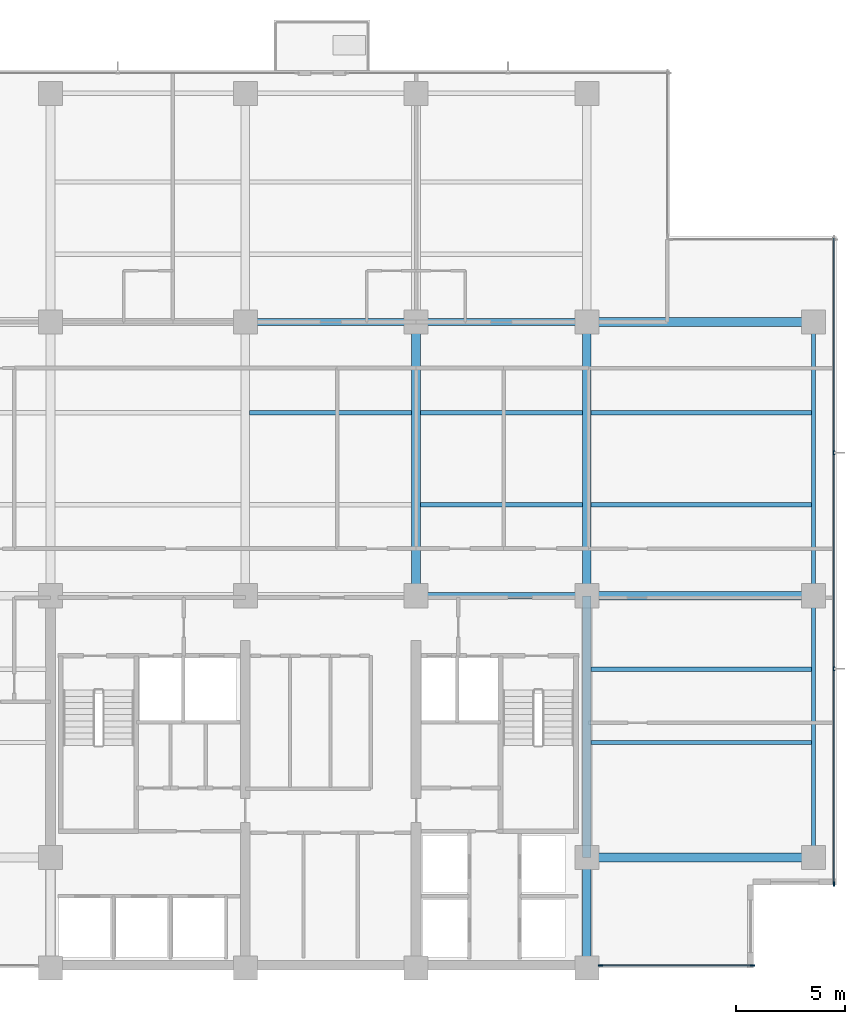
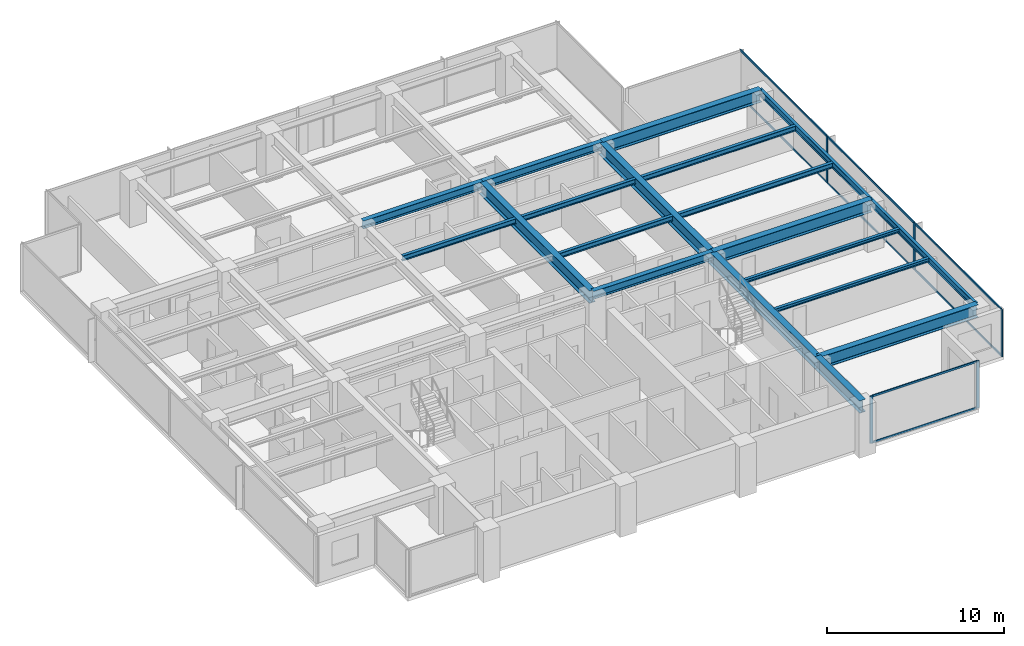
# One storey, part 3 of 15: 19 beams, 13 members, 2 elements without a shape of their own.
"""IFC4 building model written with IfcOpenShell, lengths in metres."""

from ifc_helpers import new_model, si_unit, direction, frame, origin, origin_2d, place, context, subcontext, project, spatial, rectangle, i_section, extrude, material, layer, layer_set, material_profile, profile_set, type_object, element, aggregate, save


model = new_model("IFC4")

# Units and contexts
model_context = context("Model", 3, precision=1e-05, world=origin(), true_north=direction((0.0, 1.0)))
body_context = subcontext(model_context, "Body", "Model", "MODEL_VIEW")
ifc_project = project(units=[si_unit("LENGTHUNIT", "METRE"), si_unit("AREAUNIT", "SQUARE_METRE"), si_unit("VOLUMEUNIT", "CUBIC_METRE"), si_unit("PLANEANGLEUNIT", "RADIAN"), si_unit("MASSUNIT", "GRAM", prefix="KILO")], contexts=[model_context])

# Site, building, storey
site_placement = place(None, origin())
site = spatial("IfcSite", under=ifc_project, at=site_placement, CompositionType="ELEMENT")
building_placement = place(site_placement, origin())
building = spatial("IfcBuilding", under=site, at=building_placement, Name="Qalmaran Belvedere Hotel", CompositionType="ELEMENT")
storey_placement = place(building_placement, frame((0.0, 0.0, 159.60009765625)))
storey = spatial("IfcBuildingStorey", under=building, at=storey_placement, Name="L40", CompositionType="ELEMENT", Elevation=159.60009765625)

# Beams
ifc_material_1 = material(Name="Steel S355JR", Category="steel")
ifc_material_profile_1 = material_profile(ifc_material_1, i_section(OverallWidth=0.201904296875, OverallDepth=0.2470703125, WebThickness=0.00732421875, FlangeThickness=0.010986328125, FilletRadius=0.011962890625, at=origin_2d()), Name="W250X49")
ifc_profile_set_1 = profile_set([ifc_material_profile_1], Name="Steel S355JR")
beam_type_1 = type_object("IfcBeamType", Name="BM-JST-W250X49", PredefinedType="JOIST", material=ifc_profile_set_1)
for number, where, z_axis, x_axis, name in (
    (1, (44.998046875, 13.800048828125, 3.12646484375), (1.0, 0.0, 0.0), (0.0, 1.0, 0.0), "L40 East Wing Joist 039"),
    (2, (44.998046875, 17.14990234375, 3.12646484375), (1.0, 0.0, 0.0), (0.0, 1.0, 0.0), "L40 East Wing Joist 041"),
):
    element("IfcBeam", number, at=place(storey_placement, frame(where, z_axis=z_axis, x_axis=x_axis)), inside=storey, type_object=beam_type_1, Name=name, PredefinedType="JOIST", context=body_context, shape_type="SweptSolid", body=[
        extrude(i_section(OverallWidth=0.201904296875, OverallDepth=0.2470703125, WebThickness=0.00732421875, FlangeThickness=0.010986328125, FilletRadius=0.011962890625, at=origin_2d()), origin(), (0.0, 0.0, 1.0), 10.057861328125),
    ])
ifc_material_profile_2 = material_profile(ifc_material_1, i_section(OverallWidth=0.39990234375, OverallDepth=0.85498046875, WebThickness=0.018310546875, FlangeThickness=0.029296875, FilletRadius=0.02392578125, at=origin_2d()), Name="W840X299")
ifc_profile_set_2 = profile_set([ifc_material_profile_2], Name="Steel S355JR")
beam_type_2 = type_object("IfcBeamType", Name="BM-PG3-W840X299", PredefinedType="USERDEFINED", material=ifc_profile_set_2)
for number, where, z_axis, x_axis, name in (
    (3, (37.0, 20.5, 2.822509765625), (0.0, 1.0, 0.0), (-1.0, 0.0, 0.0), "L40 Mid-Plate N-S Girder 18"),
    (4, (44.800048828125, 20.5, 2.822509765625), (0.0, 1.0, 0.0), (-1.0, 0.0, 0.0), "L40 Mid-Plate N-S Girder 20"),
):
    element("IfcBeam", number, at=place(storey_placement, frame(where, z_axis=z_axis, x_axis=x_axis)), inside=storey, type_object=beam_type_2, Name=name, ObjectType="GIRDER", PredefinedType="USERDEFINED", context=body_context, shape_type="SweptSolid", body=[
        extrude(i_section(OverallWidth=0.39990234375, OverallDepth=0.85498046875, WebThickness=0.018310546875, FlangeThickness=0.029296875, FilletRadius=0.02392578125, at=origin_2d()), origin(), (0.0, 0.0, 1.0), 12.5),
    ])
beam_1_placement = place(storey_placement, frame((44.800048828125, 3.5, 2.822509765625), z_axis=(0.0, 1.0, 0.0), x_axis=(-1.0, 0.0, 0.0)))
element("IfcBeam", 5, at=beam_1_placement, inside=storey, type_object=beam_type_2, Name="L40 East Core Edge Girder A", ObjectType="GIRDER", PredefinedType="USERDEFINED", context=body_context, shape_type="SweptSolid", body=[
    extrude(i_section(OverallWidth=0.39990234375, OverallDepth=0.85498046875, WebThickness=0.018310546875, FlangeThickness=0.029296875, FilletRadius=0.02392578125, at=origin_2d()), origin(), (0.0, 0.0, 1.0), 5.050048828125),
])
beam_2_placement = place(storey_placement, frame((44.800048828125, 8.550048828125, 2.822509765625), z_axis=(0.0, 1.0, 0.0), x_axis=(-1.0, 0.0, 0.0)))
element("IfcBeam", 6, at=beam_2_placement, inside=storey, type_object=beam_type_2, Name="L40 East Core Edge Girder B", ObjectType="GIRDER", PredefinedType="USERDEFINED", context=body_context, shape_type="SweptSolid", body=[
    extrude(i_section(OverallWidth=0.39990234375, OverallDepth=0.85498046875, WebThickness=0.018310546875, FlangeThickness=0.029296875, FilletRadius=0.02392578125, at=origin_2d()), origin(), (0.0, 0.0, 1.0), 11.949951171875),
])
for number, where, z_axis, x_axis, name in (
    (7, (44.800048828125, 8.550048828125, 2.822509765625), (1.0, 0.0, 0.0), (0.0, 1.0, 0.0), "L40 East Wing Girder 25"),
    (8, (44.800048828125, 20.5, 2.822509765625), (1.0, 0.0, 0.0), (0.0, 1.0, 0.0), "L40 East Wing Girder 26"),
    (9, (44.800048828125, 33.0, 2.822509765625), (1.0, 0.0, 0.0), (0.0, 1.0, 0.0), "L40 East Wing Girder 27"),
):
    element("IfcBeam", number, at=place(storey_placement, frame(where, z_axis=z_axis, x_axis=x_axis)), inside=storey, type_object=beam_type_2, Name=name, ObjectType="GIRDER", PredefinedType="USERDEFINED", context=body_context, shape_type="SweptSolid", body=[
        extrude(i_section(OverallWidth=0.39990234375, OverallDepth=0.85498046875, WebThickness=0.018310546875, FlangeThickness=0.029296875, FilletRadius=0.02392578125, at=origin_2d()), origin(), (0.0, 0.0, 1.0), 10.349853515625),
    ])
ifc_material_profile_3 = material_profile(ifc_material_1, i_section(OverallWidth=0.205078125, OverallDepth=0.35400390625, WebThickness=0.009521484375, FlangeThickness=0.016845703125, FilletRadius=0.014892578125, at=origin_2d()), Name="W360X79")
ifc_profile_set_3 = profile_set([ifc_material_profile_3], Name="Steel S355JR")
beam_type_3 = type_object("IfcBeamType", Name="BM-SB3-W360X79", PredefinedType="BEAM", material=ifc_profile_set_3)
beam_3_placement = place(storey_placement, frame((37.197998046875, 24.64990234375, 3.072998046875), z_axis=(1.0, 0.0, 0.0), x_axis=(0.0, 1.0, 0.0)))
element("IfcBeam", 10, at=beam_3_placement, inside=storey, type_object=beam_type_3, Name="L40 Secondary Floor Beam 031", PredefinedType="BEAM", context=body_context, shape_type="SweptSolid", body=[
    extrude(i_section(OverallWidth=0.205078125, OverallDepth=0.35400390625, WebThickness=0.009521484375, FlangeThickness=0.016845703125, FilletRadius=0.014892578125, at=origin_2d()), origin(), (0.0, 0.0, 1.0), 7.404052734375),
])
beam_4_placement = place(storey_placement, frame((44.998046875, 24.64990234375, 3.072998046875), z_axis=(1.0, 0.0, 0.0), x_axis=(0.0, 1.0, 0.0)))
element("IfcBeam", 11, at=beam_4_placement, inside=storey, type_object=beam_type_3, Name="L40 East Secondary Beam 032", PredefinedType="BEAM", context=body_context, shape_type="SweptSolid", body=[
    extrude(i_section(OverallWidth=0.205078125, OverallDepth=0.35400390625, WebThickness=0.009521484375, FlangeThickness=0.016845703125, FilletRadius=0.014892578125, at=origin_2d()), origin(), (0.0, 0.0, 1.0), 10.057861328125),
])
for number, where, z_axis, x_axis, name in (
    (12, (29.39794921875, 28.85009765625, 3.072998046875), (1.0, 0.0, 0.0), (0.0, 1.0, 0.0), "L40 Secondary Floor Beam 035"),
    (13, (37.197998046875, 28.85009765625, 3.072998046875), (1.0, 0.0, 0.0), (0.0, 1.0, 0.0), "L40 Secondary Floor Beam 036"),
):
    element("IfcBeam", number, at=place(storey_placement, frame(where, z_axis=z_axis, x_axis=x_axis)), inside=storey, type_object=beam_type_3, Name=name, PredefinedType="BEAM", context=body_context, shape_type="SweptSolid", body=[
        extrude(i_section(OverallWidth=0.205078125, OverallDepth=0.35400390625, WebThickness=0.009521484375, FlangeThickness=0.016845703125, FilletRadius=0.014892578125, at=origin_2d()), origin(), (0.0, 0.0, 1.0), 7.404052734375),
    ])
beam_5_placement = place(storey_placement, frame((44.998046875, 28.85009765625, 3.072998046875), z_axis=(1.0, 0.0, 0.0), x_axis=(0.0, 1.0, 0.0)))
element("IfcBeam", 14, at=beam_5_placement, inside=storey, type_object=beam_type_3, Name="L40 East Secondary Beam 037", PredefinedType="BEAM", context=body_context, shape_type="SweptSolid", body=[
    extrude(i_section(OverallWidth=0.205078125, OverallDepth=0.35400390625, WebThickness=0.009521484375, FlangeThickness=0.016845703125, FilletRadius=0.014892578125, at=origin_2d()), origin(), (0.0, 0.0, 1.0), 10.057861328125),
])
ifc_material_profile_4 = material_profile(ifc_material_1, i_section(OverallWidth=0.19189453125, OverallDepth=0.462890625, WebThickness=0.010498046875, FlangeThickness=0.017578125, FilletRadius=0.01611328125, at=origin_2d()), Name="W460X89")
ifc_profile_set_4 = profile_set([ifc_material_profile_4], Name="Steel S355JR")
beam_type_4 = type_object("IfcBeamType", Name="BM-SP2-W460X89", PredefinedType="SPANDREL", material=ifc_profile_set_4)
beam_6_placement = place(storey_placement, frame((55.14990234375, 8.550048828125, 3.018310546875), z_axis=(0.0, 1.0, 0.0), x_axis=(-1.0, 0.0, 0.0)))
element("IfcBeam", 15, at=beam_6_placement, inside=storey, type_object=beam_type_4, Name="L40 Perimeter Spandrel 03", PredefinedType="SPANDREL", context=body_context, shape_type="SweptSolid", body=[
    extrude(i_section(OverallWidth=0.19189453125, OverallDepth=0.462890625, WebThickness=0.010498046875, FlangeThickness=0.017578125, FilletRadius=0.01611328125, at=origin_2d()), origin(), (0.0, 0.0, 1.0), 11.949951171875),
])
beam_7_placement = place(storey_placement, frame((55.14990234375, 20.5, 3.018310546875), z_axis=(0.0, 1.0, 0.0), x_axis=(-1.0, 0.0, 0.0)))
element("IfcBeam", 16, at=beam_7_placement, inside=storey, type_object=beam_type_4, Name="L40 Perimeter Spandrel 04", PredefinedType="SPANDREL", context=body_context, shape_type="SweptSolid", body=[
    extrude(i_section(OverallWidth=0.19189453125, OverallDepth=0.462890625, WebThickness=0.010498046875, FlangeThickness=0.017578125, FilletRadius=0.01611328125, at=origin_2d()), origin(), (0.0, 0.0, 1.0), 12.5),
])
ifc_material_profile_5 = material_profile(ifc_material_1, i_section(OverallWidth=0.31201171875, OverallDepth=0.54296875, WebThickness=0.0126953125, FlangeThickness=0.020263671875, FilletRadius=0.01806640625, at=origin_2d()), Name="W530X150")
ifc_profile_set_5 = profile_set([ifc_material_profile_5], Name="Steel S355JR")
beam_type_5 = type_object("IfcBeamType", Name="BM-Z3-W530X150", PredefinedType="USERDEFINED", material=ifc_profile_set_5)
for number, where, z_axis, x_axis, name in (
    (17, (37.0, 20.5, 2.978515625), (1.0, 0.0, 0.0), (0.0, 1.0, 0.0), "L40 Interior E-W Girder 10"),
    (18, (29.199951171875, 33.0, 2.978515625), (1.0, 0.0, 0.0), (0.0, 1.0, 0.0), "L40 Interior E-W Girder 12"),
    (19, (37.0, 33.0, 2.978515625), (1.0, 0.0, 0.0), (0.0, 1.0, 0.0), "L40 Interior E-W Girder 13"),
):
    element("IfcBeam", number, at=place(storey_placement, frame(where, z_axis=z_axis, x_axis=x_axis)), inside=storey, type_object=beam_type_5, Name=name, ObjectType="GIRDER", PredefinedType="USERDEFINED", context=body_context, shape_type="SweptSolid", body=[
        extrude(i_section(OverallWidth=0.31201171875, OverallDepth=0.54296875, WebThickness=0.0126953125, FlangeThickness=0.020263671875, FilletRadius=0.01806640625, at=origin_2d()), origin(), (0.0, 0.0, 1.0), 7.800048828125),
    ])

# Curtain wall, members
ifc_material_2 = material(Name="Anodised Bronze Aluminium", Category="aluminium")
ifc_layer = layer(ifc_material_2, 0.195068359375, Name="Anodised Bronze Aluminium")
ifc_layer_set = layer_set([ifc_layer], Name="Anodised Bronze Aluminium")
curtain_wall_type = type_object("IfcCurtainWallType", Name="CW4-TOWER-HIGHMID", PredefinedType="NOTDEFINED", material=ifc_layer_set)
curtain_wall_1_placement = place(storey_placement, origin())
curtain_wall_1 = element("IfcCurtainWall", 20, at=curtain_wall_1_placement, inside=storey, type_object=curtain_wall_type, Name="L40 Curtain Wall CW4", PredefinedType="NOTDEFINED")
ifc_material_profile_6 = material_profile(ifc_material_2, rectangle(XDim=0.070068359375, YDim=0.18994140625, at=origin_2d()), Name="CWM70X190")
ifc_profile_set_6 = profile_set([ifc_material_profile_6], Name="Anodised Bronze Aluminium")
member_type_1 = type_object("IfcMemberType", Name="CWM-70X190", PredefinedType="MULLION", material=ifc_profile_set_6)
member_1_placement = place(storey_placement, frame((45.425048828125, 3.6201171875, 0.0), z_axis=(0.0, 0.0, 1.0), x_axis=(0.0, 1.0, 0.0)))
member_1 = element("IfcMember", 21, at=member_1_placement, type_object=member_type_1, Name="CW4 mullion 1", PredefinedType="MULLION", context=body_context, shape_type="SweptSolid", body=[
    extrude(rectangle(XDim=0.070068359375, YDim=0.18994140625, at=origin_2d()), origin(), (0.0, 0.0, 1.0), 3.25),
])
member_2_placement = place(storey_placement, frame((52.364990234375, 3.6201171875, 0.0), z_axis=(0.0, 0.0, 1.0), x_axis=(0.0, 1.0, 0.0)))
member_2 = element("IfcMember", 22, at=member_2_placement, type_object=member_type_1, Name="CW4 mullion 2", PredefinedType="MULLION", context=body_context, shape_type="SweptSolid", body=[
    extrude(rectangle(XDim=0.070068359375, YDim=0.18994140625, at=origin_2d()), origin(), (0.0, 0.0, 1.0), 3.25),
])

curtain_wall_2_placement = place(storey_placement, origin())
curtain_wall_2 = element("IfcCurtainWall", 23, at=curtain_wall_2_placement, inside=storey, type_object=curtain_wall_type, Name="L40 Curtain Wall CW4", PredefinedType="NOTDEFINED")
member_3_placement = place(storey_placement, frame((56.080078125, 7.3349609375, 0.0), z_axis=(0.0, 0.0, 1.0), x_axis=(-1.0, 0.0, 0.0)))
member_3 = element("IfcMember", 24, at=member_3_placement, type_object=member_type_1, Name="CW4 mullion 1", PredefinedType="MULLION", context=body_context, shape_type="SweptSolid", body=[
    extrude(rectangle(XDim=0.070068359375, YDim=0.18994140625, at=origin_2d()), origin(), (0.0, 0.0, 1.0), 3.25),
])
member_4_placement = place(storey_placement, frame((56.080078125, 17.166748046875, 0.0), z_axis=(0.0, 0.0, 1.0), x_axis=(-1.0, 0.0, 0.0)))
member_4 = element("IfcMember", 25, at=member_4_placement, type_object=member_type_1, Name="CW4 mullion 2", PredefinedType="MULLION", context=body_context, shape_type="SweptSolid", body=[
    extrude(rectangle(XDim=0.070068359375, YDim=0.18994140625, at=origin_2d()), origin(), (0.0, 0.0, 1.0), 3.25),
])
member_5_placement = place(storey_placement, frame((56.080078125, 27.033447265625, 0.0), z_axis=(0.0, 0.0, 1.0), x_axis=(-1.0, 0.0, 0.0)))
member_5 = element("IfcMember", 26, at=member_5_placement, type_object=member_type_1, Name="CW4 mullion 3", PredefinedType="MULLION", context=body_context, shape_type="SweptSolid", body=[
    extrude(rectangle(XDim=0.070068359375, YDim=0.18994140625, at=origin_2d()), origin(), (0.0, 0.0, 1.0), 3.25),
])

# Member
ifc_material_profile_7 = material_profile(ifc_material_2, rectangle(XDim=0.06494140625, YDim=0.1298828125, at=origin_2d()), Name="CWT65X130")
ifc_profile_set_7 = profile_set([ifc_material_profile_7], Name="Anodised Bronze Aluminium")
member_type_2 = type_object("IfcMemberType", Name="CWT-65X130", PredefinedType="USERDEFINED", material=ifc_profile_set_7)
member_6_placement = place(storey_placement, frame((45.4599609375, 3.6201171875, 0.032470703125), z_axis=(1.0, 0.0, 0.0), x_axis=(0.0, 1.0, 0.0)))
member_6 = element("IfcMember", 27, at=member_6_placement, type_object=member_type_2, Name="CW4 transom 1.1", ObjectType="TRANSOM", PredefinedType="USERDEFINED", context=body_context, shape_type="SweptSolid", body=[
    extrude(rectangle(XDim=0.06494140625, YDim=0.1298828125, at=origin_2d()), origin(), (0.0, 0.0, 1.0), 6.8701171875),
])

member_7_placement = place(storey_placement, frame((45.4599609375, 3.6201171875, 3.21728515625), z_axis=(1.0, 0.0, 0.0), x_axis=(0.0, 1.0, 0.0)))
member_7 = element("IfcMember", 28, at=member_7_placement, type_object=member_type_2, Name="CW4 transom 1.2", ObjectType="TRANSOM", PredefinedType="USERDEFINED", context=body_context, shape_type="SweptSolid", body=[
    extrude(rectangle(XDim=0.06494140625, YDim=0.1298828125, at=origin_2d()), origin(), (0.0, 0.0, 1.0), 6.8701171875),
])

aggregate(curtain_wall_1, [member_1, member_2, member_6, member_7])

member_8_placement = place(storey_placement, frame((56.080078125, 7.3701171875, 0.032470703125), z_axis=(0.0, 1.0, 0.0), x_axis=(-1.0, 0.0, 0.0)))
member_8 = element("IfcMember", 29, at=member_8_placement, type_object=member_type_2, Name="CW4 transom 1.1", ObjectType="TRANSOM", PredefinedType="USERDEFINED", context=body_context, shape_type="SweptSolid", body=[
    extrude(rectangle(XDim=0.06494140625, YDim=0.1298828125, at=origin_2d()), origin(), (0.0, 0.0, 1.0), 9.761474609375),
])

member_9_placement = place(storey_placement, frame((56.080078125, 7.3701171875, 3.21728515625), z_axis=(0.0, 1.0, 0.0), x_axis=(-1.0, 0.0, 0.0)))
member_9 = element("IfcMember", 30, at=member_9_placement, type_object=member_type_2, Name="CW4 transom 1.2", ObjectType="TRANSOM", PredefinedType="USERDEFINED", context=body_context, shape_type="SweptSolid", body=[
    extrude(rectangle(XDim=0.06494140625, YDim=0.1298828125, at=origin_2d()), origin(), (0.0, 0.0, 1.0), 9.761474609375),
])

member_10_placement = place(storey_placement, frame((56.080078125, 17.20166015625, 0.032470703125), z_axis=(0.0, 1.0, 0.0), x_axis=(-1.0, 0.0, 0.0)))
member_10 = element("IfcMember", 31, at=member_10_placement, type_object=member_type_2, Name="CW4 transom 2.1", ObjectType="TRANSOM", PredefinedType="USERDEFINED", context=body_context, shape_type="SweptSolid", body=[
    extrude(rectangle(XDim=0.06494140625, YDim=0.1298828125, at=origin_2d()), origin(), (0.0, 0.0, 1.0), 9.796630859375),
])

member_11_placement = place(storey_placement, frame((56.080078125, 17.20166015625, 3.21728515625), z_axis=(0.0, 1.0, 0.0), x_axis=(-1.0, 0.0, 0.0)))
member_11 = element("IfcMember", 32, at=member_11_placement, type_object=member_type_2, Name="CW4 transom 2.2", ObjectType="TRANSOM", PredefinedType="USERDEFINED", context=body_context, shape_type="SweptSolid", body=[
    extrude(rectangle(XDim=0.06494140625, YDim=0.1298828125, at=origin_2d()), origin(), (0.0, 0.0, 1.0), 9.796630859375),
])

member_12_placement = place(storey_placement, frame((56.080078125, 27.068359375, 0.032470703125), z_axis=(0.0, 1.0, 0.0), x_axis=(-1.0, 0.0, 0.0)))
member_12 = element("IfcMember", 33, at=member_12_placement, type_object=member_type_2, Name="CW4 transom 3.1", ObjectType="TRANSOM", PredefinedType="USERDEFINED", context=body_context, shape_type="SweptSolid", body=[
    extrude(rectangle(XDim=0.06494140625, YDim=0.1298828125, at=origin_2d()), origin(), (0.0, 0.0, 1.0), 9.76171875),
])

member_13_placement = place(storey_placement, frame((56.080078125, 27.068359375, 3.21728515625), z_axis=(0.0, 1.0, 0.0), x_axis=(-1.0, 0.0, 0.0)))
member_13 = element("IfcMember", 34, at=member_13_placement, type_object=member_type_2, Name="CW4 transom 3.2", ObjectType="TRANSOM", PredefinedType="USERDEFINED", context=body_context, shape_type="SweptSolid", body=[
    extrude(rectangle(XDim=0.06494140625, YDim=0.1298828125, at=origin_2d()), origin(), (0.0, 0.0, 1.0), 9.76171875),
])

aggregate(curtain_wall_2, [member_3, member_4, member_5, member_8, member_9, member_10, member_11, member_12, member_13])

save(model, "model.ifc")
